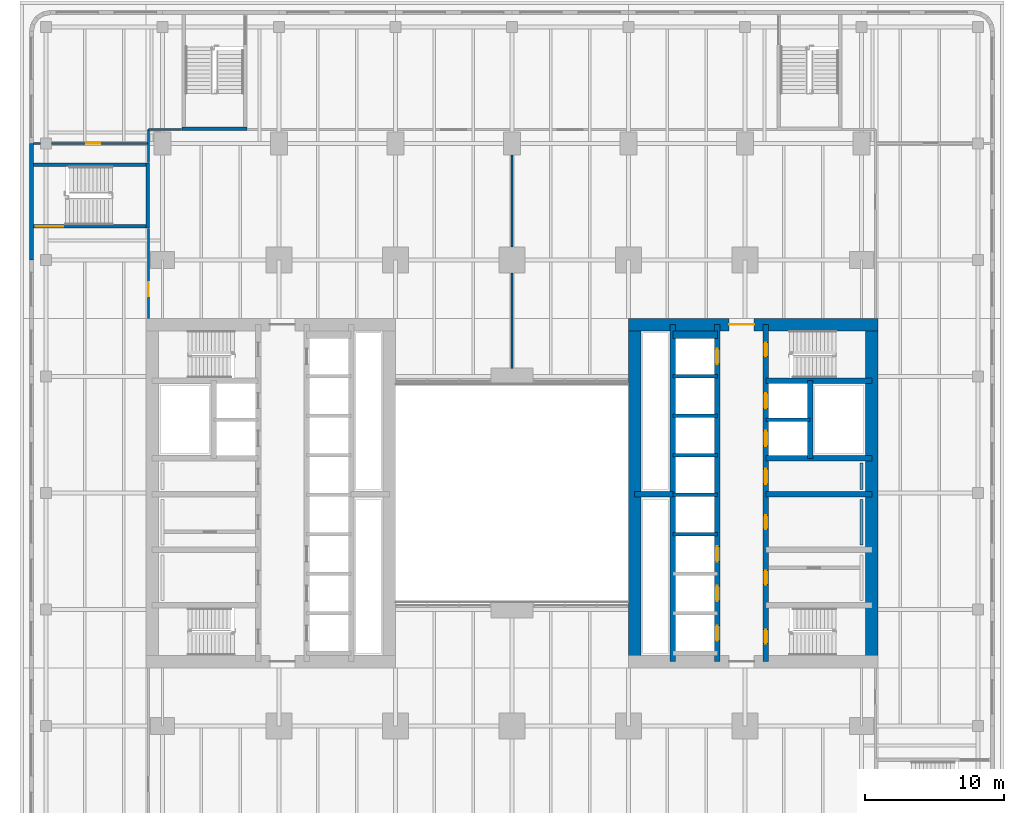
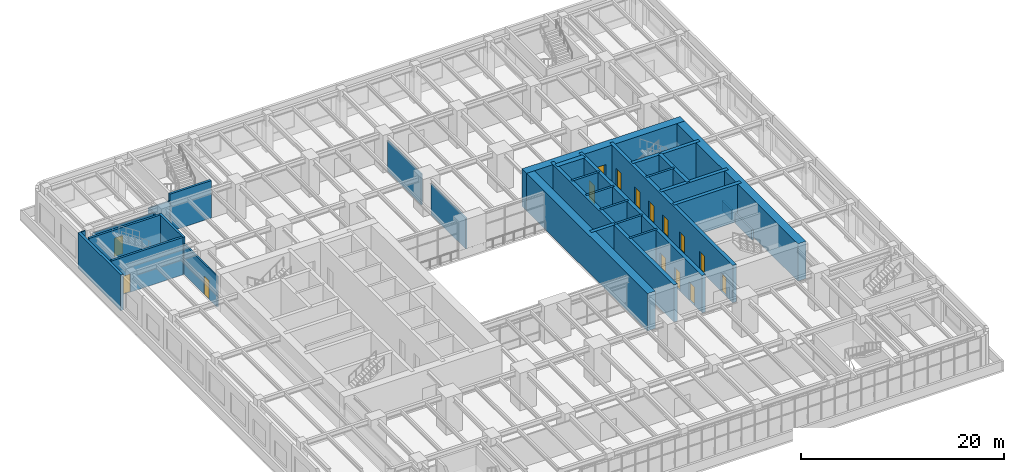
# One storey, part 20 of 30: 32 walls, 15 doors, 15 openings.
"""IFC4 building model written with IfcOpenShell, lengths in metres."""

from ifc_helpers import new_model, si_unit, direction, frame, frame_2d, origin, place, context, subcontext, project, spatial, rectangle, extrude, material, layer, layer_set, type_object, element, fill, save


model = new_model("IFC4")

# Units and contexts
model_context = context("Model", 3, precision=1e-05, world=origin(), true_north=direction((0.0, 1.0)))
body_context = subcontext(model_context, "Body", "Model", "MODEL_VIEW")
ifc_project = project(units=[si_unit("LENGTHUNIT", "METRE"), si_unit("AREAUNIT", "SQUARE_METRE"), si_unit("VOLUMEUNIT", "CUBIC_METRE"), si_unit("PLANEANGLEUNIT", "RADIAN"), si_unit("MASSUNIT", "GRAM", prefix="KILO")], contexts=[model_context])

# Site, building, storey
site_placement = place(None, origin())
site = spatial("IfcSite", under=ifc_project, at=site_placement, CompositionType="ELEMENT")
building_placement = place(site_placement, origin())
building = spatial("IfcBuilding", under=site, at=building_placement, Name="Claustro Exchange Tower", CompositionType="ELEMENT")
storey_placement = place(building_placement, frame((0.0, 0.0, 5.39990234375)))
storey = spatial("IfcBuildingStorey", under=building, at=storey_placement, Name="L01", CompositionType="ELEMENT", Elevation=5.39990234375)

# Walls
ifc_material_1 = material(Name="Gypsum board on steel studs", Category="steel")
ifc_layer_1 = layer(ifc_material_1, 0.14990234375)
ifc_layer_set_1 = layer_set([ifc_layer_1], Name="Gypsum board on steel studs")
wall_type_1 = type_object("IfcWallType", Name="P1 150 plasterboard partition", PredefinedType="PARTITIONING", material=ifc_layer_set_1)
wall_1_placement = place(storey_placement, frame((-1.0, 51.39990234375, 0.0), z_axis=(0.0, 0.0, 1.0), x_axis=(1.0, 0.0, 0.0)))
element("IfcWall", 1, at=wall_1_placement, inside=storey, type_object=wall_type_1, Name="Partition P1 L01", PredefinedType="PARTITIONING", context=body_context, shape_type="SweptSolid", body=[
    extrude(rectangle(XDim=2.3798828125, YDim=0.14990234375, at=frame_2d((1.18994140625, 0.0))), origin(), (0.0, 0.0, 1.0), 3.7001953125),
])
wall_2_placement = place(storey_placement, frame((-9.300048828125, 50.39990234375, 0.0), z_axis=(0.0, 0.0, 1.0), x_axis=(1.0, 0.0, 0.0)))
element("IfcWall", 2, at=wall_2_placement, inside=storey, type_object=wall_type_1, Name="Partition P1 L01", PredefinedType="PARTITIONING", context=body_context, shape_type="SweptSolid", body=[
    extrude(rectangle(XDim=0.5009765625, YDim=0.14990234375, at=frame_2d((0.25048828125, 0.0))), origin(), (0.0, 0.0, 1.0), 4.300048828125),
])

# Wall, opening, door
wall_3_placement = place(storey_placement, frame((-8.0009765625, 50.39990234375, 0.0), z_axis=(0.0, 0.0, 1.0), x_axis=(1.0, 0.0, 0.0)))
wall_3 = element("IfcWall", 3, at=wall_3_placement, inside=storey, type_object=wall_type_1, Name="Partition P1 L01", PredefinedType="PARTITIONING", context=body_context, shape_type="SweptSolid", body=[
    extrude(rectangle(XDim=6.927001953125, YDim=0.14990234375, at=frame_2d((3.46337890625, 0.0))), origin(), (0.0, 0.0, 1.0), 3.7001953125),
])
opening_1_placement = place(wall_3_placement, frame((2.5009765625, 0.0, 0.0)))
opening_1 = element("IfcOpeningElement", 4, at=opening_1_placement, cuts=wall_3, Name="Opening D1", PredefinedType="OPENING", context=body_context, shape_type="SweptSolid", body=[
    extrude(rectangle(XDim=1.0, YDim=2.199951171875, at=frame_2d((0.5, 1.10009765625))), frame((0.0, 0.0849609375, 0.0), z_axis=(0.0, -1.0, 0.0), x_axis=(1.0, 0.0, 0.0)), (0.0, 0.0, 1.0), 0.169921875),
])
ifc_material_2 = material(Name="Timber door, oak veneer", Category="wood")
door_type_1 = type_object("IfcDoorType", Name="D1 1000 x 2200 single door", OperationType="SINGLE_SWING_LEFT", PredefinedType="DOOR", material=ifc_material_2)
door_1_placement = place(opening_1_placement, frame((1.0, 0.0, 0.0), z_axis=(0.0, 0.0, 1.0), x_axis=(-1.0, 0.0, 0.0)))
door_1 = element("IfcDoor", 5, at=door_1_placement, inside=storey, type_object=door_type_1, Name="Door D1 L01", OperationType="SINGLE_SWING_LEFT", OverallHeight=2.199951171875, OverallWidth=1.0, PredefinedType="DOOR", context=body_context, shape_type="SweptSolid", body=[
    extrude(rectangle(XDim=1.0, YDim=2.199951171875, at=frame_2d((0.5, 1.10009765625))), frame((0.0, 0.02490234375, 0.0), z_axis=(0.0, -1.0, 0.0), x_axis=(1.0, 0.0, 0.0)), (0.0, 0.0, 1.0), 0.050048828125),
])
fill(opening_1, door_1)

wall_4_placement = place(storey_placement, frame((-1.0, 37.800048828125, 0.0), z_axis=(0.0, 0.0, 1.0), x_axis=(0.0, 1.0, 0.0)))
wall_4 = element("IfcWall", 6, at=wall_4_placement, inside=storey, type_object=wall_type_1, Name="Partition P1 L01", PredefinedType="PARTITIONING", context=body_context, shape_type="SweptSolid", body=[
    extrude(rectangle(XDim=6.47998046875, YDim=0.14990234375, at=frame_2d((3.239990234375, 0.0))), origin(), (0.0, 0.0, 1.0), 3.7001953125),
])
opening_2_placement = place(wall_4_placement, frame((1.60009765625, 0.0, 0.0)))
opening_2 = element("IfcOpeningElement", 7, at=opening_2_placement, cuts=wall_4, Name="Opening D1", PredefinedType="OPENING", context=body_context, shape_type="SweptSolid", body=[
    extrude(rectangle(XDim=1.0, YDim=2.199951171875, at=frame_2d((0.5, 1.10009765625))), frame((0.0, 0.0849609375, 0.0), z_axis=(0.0, -1.0, 0.0), x_axis=(1.0, 0.0, 0.0)), (0.0, 0.0, 1.0), 0.169921875),
])
door_2_placement = place(opening_2_placement, origin())
door_2 = element("IfcDoor", 8, at=door_2_placement, inside=storey, type_object=door_type_1, Name="Door D1 L01", OperationType="SINGLE_SWING_LEFT", OverallHeight=2.199951171875, OverallWidth=1.0, PredefinedType="DOOR", context=body_context, shape_type="SweptSolid", body=[
    extrude(rectangle(XDim=1.0, YDim=2.199951171875, at=frame_2d((0.5, 1.10009765625))), frame((0.0, 0.02490234375, 0.0), z_axis=(0.0, -1.0, 0.0), x_axis=(1.0, 0.0, 0.0)), (0.0, 0.0, 1.0), 0.050048828125),
])
fill(opening_2, door_2)

# Walls
wall_5_placement = place(storey_placement, frame((-1.0, 49.02001953125, 0.0), z_axis=(0.0, 0.0, 1.0), x_axis=(0.0, 1.0, 0.0)))
element("IfcWall", 9, at=wall_5_placement, inside=storey, type_object=wall_type_1, Name="Partition P1 L01", PredefinedType="PARTITIONING", context=body_context, shape_type="SweptSolid", body=[
    extrude(rectangle(XDim=2.3798828125, YDim=0.14990234375, at=frame_2d((1.18994140625, 0.0))), origin(), (0.0, 0.0, 1.0), 3.7001953125),
])
wall_6_placement = place(storey_placement, frame((25.199951171875, 34.198974609375, 0.0), z_axis=(0.0, 0.0, 1.0), x_axis=(0.0, 1.0, 0.0)))
element("IfcWall", 10, at=wall_6_placement, inside=storey, type_object=wall_type_1, Name="Partition P1 L01", PredefinedType="PARTITIONING", context=body_context, shape_type="SweptSolid", body=[
    extrude(rectangle(XDim=6.85205078125, YDim=0.14990234375, at=frame_2d((3.426025390625, 0.0))), origin(), (0.0, 0.0, 1.0), 3.7001953125),
])
wall_7_placement = place(storey_placement, frame((25.199951171875, 42.948974609375, 0.0), z_axis=(0.0, 0.0, 1.0), x_axis=(0.0, 1.0, 0.0)))
element("IfcWall", 11, at=wall_7_placement, inside=storey, type_object=wall_type_1, Name="Partition P1 L01", PredefinedType="PARTITIONING", context=body_context, shape_type="SweptSolid", body=[
    extrude(rectangle(XDim=6.626953125, YDim=0.14990234375, at=frame_2d((3.3134765625, 0.0))), origin(), (0.0, 0.0, 1.0), 3.7001953125),
])
ifc_material_3 = material(Name="Concrete HA-40 (C40/50), precast, white cement, acid-etched", Category="concrete")
ifc_layer_2 = layer(ifc_material_3, 0.300048828125)
ifc_layer_set_2 = layer_set([ifc_layer_2], Name="Concrete HA-40 (C40/50), precast, white cement, acid-etched")
wall_type_2 = type_object("IfcWallType", Name="PC1 300 precast concrete pier panel", PredefinedType="SOLIDWALL", material=ifc_layer_set_2)
wall_8_placement = place(storey_placement, frame((-9.449951171875, 42.0, 0.0), z_axis=(0.0, 0.0, 1.0), x_axis=(0.0, 1.0, 0.0)))
element("IfcWall", 12, at=wall_8_placement, inside=storey, type_object=wall_type_2, Name="Precast pier panel PC1 L01", PredefinedType="SOLIDWALL", context=body_context, shape_type="SweptSolid", body=[
    extrude(rectangle(XDim=8.39990234375, YDim=0.300048828125, at=frame_2d((4.199951171875, 0.0))), origin(), (0.0, 0.0, 1.0), 4.300048828125),
])
ifc_material_4 = material(Name="Gypsum board on steel studs, tiled", Category="steel")
ifc_layer_3 = layer(ifc_material_4, 0.199951171875)
ifc_layer_set_3 = layer_set([ifc_layer_3], Name="Gypsum board on steel studs, tiled")
wall_type_3 = type_object("IfcWallType", Name="PW1 200 WC duct wall", PredefinedType="PLUMBINGWALL", material=ifc_layer_set_3)
wall_9_placement = place(storey_placement, frame((50.39990234375, 21.449951171875, 0.0), z_axis=(0.0, 0.0, 1.0), x_axis=(0.0, 1.0, 0.0)))
element("IfcWall", 13, at=wall_9_placement, inside=storey, type_object=wall_type_3, Name="WC duct wall PW1 L01", PredefinedType="PLUMBINGWALL", context=body_context, shape_type="SweptSolid", body=[
    extrude(rectangle(XDim=3.300048828125, YDim=0.199951171875, at=frame_2d((1.64990234375, 0.0))), origin(), (0.0, 0.0, 1.0), 1.2001953125),
])
wall_10_placement = place(storey_placement, frame((50.39990234375, 25.449951171875, 0.0), z_axis=(0.0, 0.0, 1.0), x_axis=(0.0, 1.0, 0.0)))
element("IfcWall", 14, at=wall_10_placement, inside=storey, type_object=wall_type_3, Name="WC duct wall PW1 L01", PredefinedType="PLUMBINGWALL", context=body_context, shape_type="SweptSolid", body=[
    extrude(rectangle(XDim=1.900146484375, YDim=0.199951171875, at=frame_2d((0.9501953125, 0.0))), origin(), (0.0, 0.0, 1.0), 1.2001953125),
])

# Wall, opening, door
ifc_material_5 = material(Name="Concrete HA-70 (C70/85)", Category="concrete")
ifc_layer_4 = layer(ifc_material_5, 0.89990234375)
ifc_layer_set_4 = layer_set([ifc_layer_4], Name="Concrete HA-70 (C70/85)")
wall_type_4 = type_object("IfcWallType", Name="SW1 900 core shear wall", PredefinedType="SHEAR", material=ifc_layer_set_4)
wall_11_placement = place(storey_placement, frame((33.60009765625, 37.35009765625, 0.0), z_axis=(0.0, 0.0, 1.0), x_axis=(1.0, 0.0, 0.0)))
wall_11 = element("IfcWall", 15, at=wall_11_placement, inside=storey, type_object=wall_type_4, Name="Core wall SW1 E core N face L01", PredefinedType="SHEAR", context=body_context, shape_type="SweptSolid", body=[
    extrude(rectangle(XDim=18.0, YDim=0.89990234375, at=frame_2d((9.0, 0.0))), origin(), (0.0, 0.0, 1.0), 4.5),
])
opening_3_placement = place(wall_11_placement, frame((7.25, 0.0, 0.0)))
opening_3 = element("IfcOpeningElement", 16, at=opening_3_placement, cuts=wall_11, Name="Opening D3", PredefinedType="OPENING", context=body_context, shape_type="SweptSolid", body=[
    extrude(rectangle(XDim=1.800048828125, YDim=2.39990234375, at=frame_2d((0.89990234375, 1.199951171875))), frame((0.0, 0.4599609375, 0.0), z_axis=(0.0, -1.0, 0.0), x_axis=(1.0, 0.0, 0.0)), (0.0, 0.0, 1.0), 0.919921875),
])
ifc_material_6 = material(Name="Steel fire door, painted", Category="steel")
door_type_2 = type_object("IfcDoorType", Name="D3 1800 x 2400 fire-rated lobby double door", OperationType="DOUBLE_DOOR_SINGLE_SWING", PredefinedType="DOOR", material=ifc_material_6)
door_3_placement = place(opening_3_placement, frame((1.800048828125, 0.0, 0.0), z_axis=(0.0, 0.0, 1.0), x_axis=(-1.0, 0.0, 0.0)))
door_3 = element("IfcDoor", 17, at=door_3_placement, inside=storey, type_object=door_type_2, Name="Lift lobby door D3 L01", OperationType="DOUBLE_DOOR_SINGLE_SWING", OverallHeight=2.39990234375, OverallWidth=1.800048828125, PredefinedType="DOOR", context=body_context, shape_type="SweptSolid", body=[
    extrude(rectangle(XDim=1.800048828125, YDim=2.39990234375, at=frame_2d((0.89990234375, 1.199951171875))), frame((0.0, 0.02490234375, 0.0), z_axis=(0.0, -1.0, 0.0), x_axis=(1.0, 0.0, 0.0)), (0.0, 0.0, 1.0), 0.050048828125),
])
fill(opening_3, door_3)

# Walls
ifc_material_7 = material(Name="Concrete HA-70 (C70/85)", Category="concrete")
ifc_layer_5 = layer(ifc_material_7, 0.89990234375)
ifc_layer_set_5 = layer_set([ifc_layer_5], Name="Concrete HA-70 (C70/85)")
wall_type_5 = type_object("IfcWallType", Name="SW1X 900 exposed core shear wall, board-marked face", PredefinedType="SHEAR", material=ifc_layer_set_5)
for number, where, z_axis, x_axis, name in (
    (18, (34.050048828125, 13.050048828125, 0.0), (0.0, 0.0, 1.0), (0.0, 1.0, 0.0), "Core wall SW1X E core W face L01"),
    (19, (51.14990234375, 13.050048828125, 0.0), (0.0, 0.0, 1.0), (0.0, 1.0, 0.0), "Core wall SW1X E core E face L01"),
):
    element("IfcWall", number, at=place(storey_placement, frame(where, z_axis=z_axis, x_axis=x_axis)), inside=storey, type_object=wall_type_5, Name=name, PredefinedType="SHEAR", context=body_context, shape_type="SweptSolid", body=[
        extrude(rectangle(XDim=24.300048828125, YDim=0.89990234375, at=frame_2d((12.14990234375, 0.0))), origin(), (0.0, 0.0, 1.0), 4.5),
    ])

# Wall, openings, doors
ifc_material_8 = material(Name="Concrete HA-50 (C50/60)", Category="concrete")
ifc_layer_6 = layer(ifc_material_8, 0.39990234375)
ifc_layer_set_6 = layer_set([ifc_layer_6], Name="Concrete HA-50 (C50/60)")
wall_type_6 = type_object("IfcWallType", Name="SW4 400 internal core wall", PredefinedType="SHEAR", material=ifc_layer_set_6)
wall_12_placement = place(storey_placement, frame((43.5, 13.050048828125, 0.0), z_axis=(0.0, 0.0, 1.0), x_axis=(0.0, 1.0, 0.0)))
wall_12 = element("IfcWall", 20, at=wall_12_placement, inside=storey, type_object=wall_type_6, Name="Internal core wall SW4 E core L01", PredefinedType="SHEAR", context=body_context, shape_type="SweptSolid", body=[
    extrude(rectangle(XDim=24.300048828125, YDim=0.39990234375, at=frame_2d((12.14990234375, 0.0))), origin(), (0.0, 0.0, 1.0), 4.5),
])
opening_4_placement = place(wall_12_placement, frame((1.300048828125, 0.0, 0.0)))
opening_4 = element("IfcOpeningElement", 21, at=opening_4_placement, cuts=wall_12, Name="Opening D4", PredefinedType="OPENING", context=body_context, shape_type="SweptSolid", body=[
    extrude(rectangle(XDim=1.0, YDim=2.199951171875, at=frame_2d((0.5, 1.10009765625))), frame((0.0, 0.2099609375, 0.0), z_axis=(0.0, -1.0, 0.0), x_axis=(1.0, 0.0, 0.0)), (0.0, 0.0, 1.0), 0.419921875),
])
opening_5_placement = place(wall_12_placement, frame((22.0, 0.0, 0.0)))
opening_5 = element("IfcOpeningElement", 22, at=opening_5_placement, cuts=wall_12, Name="Opening D4", PredefinedType="OPENING", context=body_context, shape_type="SweptSolid", body=[
    extrude(rectangle(XDim=1.0, YDim=2.199951171875, at=frame_2d((0.5, 1.10009765625))), frame((0.0, 0.2099609375, 0.0), z_axis=(0.0, -1.0, 0.0), x_axis=(1.0, 0.0, 0.0)), (0.0, 0.0, 1.0), 0.419921875),
])
opening_6_placement = place(wall_12_placement, frame((5.550048828125, 0.0, 0.0)))
opening_6 = element("IfcOpeningElement", 23, at=opening_6_placement, cuts=wall_12, Name="Opening D1", PredefinedType="OPENING", context=body_context, shape_type="SweptSolid", body=[
    extrude(rectangle(XDim=1.0, YDim=2.199951171875, at=frame_2d((0.5, 1.10009765625))), frame((0.0, 0.2099609375, 0.0), z_axis=(0.0, -1.0, 0.0), x_axis=(1.0, 0.0, 0.0)), (0.0, 0.0, 1.0), 0.419921875),
])
opening_7_placement = place(wall_12_placement, frame((9.550048828125, 0.0, 0.0)))
opening_7 = element("IfcOpeningElement", 24, at=opening_7_placement, cuts=wall_12, Name="Opening D1", PredefinedType="OPENING", context=body_context, shape_type="SweptSolid", body=[
    extrude(rectangle(XDim=1.0, YDim=2.199951171875, at=frame_2d((0.5, 1.10009765625))), frame((0.0, 0.2099609375, 0.0), z_axis=(0.0, -1.0, 0.0), x_axis=(1.0, 0.0, 0.0)), (0.0, 0.0, 1.0), 0.419921875),
])
opening_8_placement = place(wall_12_placement, frame((12.800048828125, 0.0, 0.0)))
opening_8 = element("IfcOpeningElement", 25, at=opening_8_placement, cuts=wall_12, Name="Opening D10", PredefinedType="OPENING", context=body_context, shape_type="SweptSolid", body=[
    extrude(rectangle(XDim=1.10009765625, YDim=2.199951171875, at=frame_2d((0.550048828125, 1.10009765625))), frame((0.0, 0.2099609375, 0.0), z_axis=(0.0, -1.0, 0.0), x_axis=(1.0, 0.0, 0.0)), (0.0, 0.0, 1.0), 0.419921875),
])
opening_9_placement = place(wall_12_placement, frame((15.53759765625, 0.0, 0.0)))
opening_9 = element("IfcOpeningElement", 26, at=opening_9_placement, cuts=wall_12, Name="Opening LD", PredefinedType="OPENING", context=body_context, shape_type="SweptSolid", body=[
    extrude(rectangle(XDim=1.10009765625, YDim=2.199951171875, at=frame_2d((0.550048828125, 1.10009765625))), frame((0.0, 0.2099609375, 0.0), z_axis=(0.0, -1.0, 0.0), x_axis=(1.0, 0.0, 0.0)), (0.0, 0.0, 1.0), 0.419921875),
])
opening_10_placement = place(wall_12_placement, frame((18.262451171875, 0.0, 0.0)))
opening_10 = element("IfcOpeningElement", 27, at=opening_10_placement, cuts=wall_12, Name="Opening LD", PredefinedType="OPENING", context=body_context, shape_type="SweptSolid", body=[
    extrude(rectangle(XDim=1.10009765625, YDim=2.199951171875, at=frame_2d((0.550048828125, 1.10009765625))), frame((0.0, 0.2099609375, 0.0), z_axis=(0.0, -1.0, 0.0), x_axis=(1.0, 0.0, 0.0)), (0.0, 0.0, 1.0), 0.419921875),
])
door_4_placement = place(opening_6_placement, frame((1.0, 0.0, 0.0), z_axis=(0.0, 0.0, 1.0), x_axis=(-1.0, 0.0, 0.0)))
door_4 = element("IfcDoor", 28, at=door_4_placement, inside=storey, type_object=door_type_1, Name="Door D1 L01", OperationType="SINGLE_SWING_LEFT", OverallHeight=2.199951171875, OverallWidth=1.0, PredefinedType="DOOR", context=body_context, shape_type="SweptSolid", body=[
    extrude(rectangle(XDim=1.0, YDim=2.199951171875, at=frame_2d((0.5, 1.10009765625))), frame((0.0, 0.02490234375, 0.0), z_axis=(0.0, -1.0, 0.0), x_axis=(1.0, 0.0, 0.0)), (0.0, 0.0, 1.0), 0.050048828125),
])
fill(opening_6, door_4)
door_5_placement = place(opening_7_placement, frame((1.0, 0.0, 0.0), z_axis=(0.0, 0.0, 1.0), x_axis=(-1.0, 0.0, 0.0)))
door_5 = element("IfcDoor", 29, at=door_5_placement, inside=storey, type_object=door_type_1, Name="Door D1 L01", OperationType="SINGLE_SWING_LEFT", OverallHeight=2.199951171875, OverallWidth=1.0, PredefinedType="DOOR", context=body_context, shape_type="SweptSolid", body=[
    extrude(rectangle(XDim=1.0, YDim=2.199951171875, at=frame_2d((0.5, 1.10009765625))), frame((0.0, 0.02490234375, 0.0), z_axis=(0.0, -1.0, 0.0), x_axis=(1.0, 0.0, 0.0)), (0.0, 0.0, 1.0), 0.050048828125),
])
fill(opening_7, door_5)
ifc_material_9 = material(Name="Timber door, oak veneer", Category="wood")
door_type_3 = type_object("IfcDoorType", Name="D10 1100 x 2200 accessible WC door", OperationType="SINGLE_SWING_LEFT", PredefinedType="DOOR", material=ifc_material_9)
door_6_placement = place(opening_8_placement, origin())
door_6 = element("IfcDoor", 30, at=door_6_placement, inside=storey, type_object=door_type_3, Name="Accessible WC door D10 L01", OperationType="SINGLE_SWING_RIGHT", OverallHeight=2.199951171875, OverallWidth=1.10009765625, PredefinedType="DOOR", context=body_context, shape_type="SweptSolid", body=[
    extrude(rectangle(XDim=1.10009765625, YDim=2.199951171875, at=frame_2d((0.550048828125, 1.10009765625))), frame((0.0, 0.02490234375, 0.0), z_axis=(0.0, -1.0, 0.0), x_axis=(1.0, 0.0, 0.0)), (0.0, 0.0, 1.0), 0.050048828125),
])
fill(opening_8, door_6)
ifc_material_10 = material(Name="Steel fire door, painted", Category="steel")
door_type_4 = type_object("IfcDoorType", Name="D4 1000 x 2200 fire-rated stair door", OperationType="SINGLE_SWING_LEFT", PredefinedType="DOOR", material=ifc_material_10)
door_7_placement = place(opening_4_placement, frame((1.0, 0.0, 0.0), z_axis=(0.0, 0.0, 1.0), x_axis=(-1.0, 0.0, 0.0)))
door_7 = element("IfcDoor", 31, at=door_7_placement, inside=storey, type_object=door_type_4, Name="Stair door D4 L01", OperationType="SINGLE_SWING_RIGHT", OverallHeight=2.199951171875, OverallWidth=1.0, PredefinedType="DOOR", context=body_context, shape_type="SweptSolid", body=[
    extrude(rectangle(XDim=1.0, YDim=2.199951171875, at=frame_2d((0.5, 1.10009765625))), frame((0.0, 0.02490234375, 0.0), z_axis=(0.0, -1.0, 0.0), x_axis=(1.0, 0.0, 0.0)), (0.0, 0.0, 1.0), 0.050048828125),
])
fill(opening_4, door_7)
door_8_placement = place(opening_5_placement, frame((1.0, 0.0, 0.0), z_axis=(0.0, 0.0, 1.0), x_axis=(-1.0, 0.0, 0.0)))
door_8 = element("IfcDoor", 32, at=door_8_placement, inside=storey, type_object=door_type_4, Name="Stair door D4 L01", OperationType="SINGLE_SWING_LEFT", OverallHeight=2.199951171875, OverallWidth=1.0, PredefinedType="DOOR", context=body_context, shape_type="SweptSolid", body=[
    extrude(rectangle(XDim=1.0, YDim=2.199951171875, at=frame_2d((0.5, 1.10009765625))), frame((0.0, 0.02490234375, 0.0), z_axis=(0.0, -1.0, 0.0), x_axis=(1.0, 0.0, 0.0)), (0.0, 0.0, 1.0), 0.050048828125),
])
fill(opening_5, door_8)
ifc_material_11 = material(Name="Stainless steel sliding door", Category="steel")
door_type_5 = type_object("IfcDoorType", Name="LD 1100 x 2200 lift landing door", OperationType="DOUBLE_DOOR_SLIDING", PredefinedType="DOOR", material=ifc_material_11)
door_9_placement = place(opening_9_placement, origin())
door_9 = element("IfcDoor", 33, at=door_9_placement, inside=storey, type_object=door_type_5, Name="Lift landing door LEE1 LD L01", OperationType="DOUBLE_DOOR_SLIDING", OverallHeight=2.199951171875, OverallWidth=1.10009765625, PredefinedType="DOOR", context=body_context, shape_type="SweptSolid", body=[
    extrude(rectangle(XDim=1.10009765625, YDim=2.199951171875, at=frame_2d((0.550048828125, 1.10009765625))), frame((0.0, 0.02490234375, 0.0), z_axis=(0.0, -1.0, 0.0), x_axis=(1.0, 0.0, 0.0)), (0.0, 0.0, 1.0), 0.050048828125),
])
fill(opening_9, door_9)
door_10_placement = place(opening_10_placement, origin())
door_10 = element("IfcDoor", 34, at=door_10_placement, inside=storey, type_object=door_type_5, Name="Lift landing door LEE2 LD L01", OperationType="DOUBLE_DOOR_SLIDING", OverallHeight=2.199951171875, OverallWidth=1.10009765625, PredefinedType="DOOR", context=body_context, shape_type="SweptSolid", body=[
    extrude(rectangle(XDim=1.10009765625, YDim=2.199951171875, at=frame_2d((0.550048828125, 1.10009765625))), frame((0.0, 0.02490234375, 0.0), z_axis=(0.0, -1.0, 0.0), x_axis=(1.0, 0.0, 0.0)), (0.0, 0.0, 1.0), 0.050048828125),
])
fill(opening_10, door_10)

wall_13_placement = place(storey_placement, frame((40.0, 13.050048828125, 0.0), z_axis=(0.0, 0.0, 1.0), x_axis=(0.0, 1.0, 0.0)))
wall_13 = element("IfcWall", 35, at=wall_13_placement, inside=storey, type_object=wall_type_6, Name="Internal core wall SW4 E core L01", PredefinedType="SHEAR", context=body_context, shape_type="SweptSolid", body=[
    extrude(rectangle(XDim=24.300048828125, YDim=0.39990234375, at=frame_2d((12.14990234375, 0.0))), origin(), (0.0, 0.0, 1.0), 4.5),
])
opening_11_placement = place(wall_13_placement, frame((1.5, 0.0, 0.0)))
opening_11 = element("IfcOpeningElement", 36, at=opening_11_placement, cuts=wall_13, Name="Opening LD", PredefinedType="OPENING", context=body_context, shape_type="SweptSolid", body=[
    extrude(rectangle(XDim=1.10009765625, YDim=2.199951171875, at=frame_2d((0.550048828125, 1.10009765625))), frame((0.0, 0.2099609375, 0.0), z_axis=(0.0, -1.0, 0.0), x_axis=(1.0, 0.0, 0.0)), (0.0, 0.0, 1.0), 0.419921875),
])
opening_12_placement = place(wall_13_placement, frame((4.35009765625, 0.0, 0.0)))
opening_12 = element("IfcOpeningElement", 37, at=opening_12_placement, cuts=wall_13, Name="Opening LD", PredefinedType="OPENING", context=body_context, shape_type="SweptSolid", body=[
    extrude(rectangle(XDim=1.10009765625, YDim=2.199951171875, at=frame_2d((0.550048828125, 1.10009765625))), frame((0.0, 0.2099609375, 0.0), z_axis=(0.0, -1.0, 0.0), x_axis=(1.0, 0.0, 0.0)), (0.0, 0.0, 1.0), 0.419921875),
])
opening_13_placement = place(wall_13_placement, frame((7.199951171875, 0.0, 0.0)))
opening_13 = element("IfcOpeningElement", 38, at=opening_13_placement, cuts=wall_13, Name="Opening LD", PredefinedType="OPENING", context=body_context, shape_type="SweptSolid", body=[
    extrude(rectangle(XDim=1.10009765625, YDim=2.199951171875, at=frame_2d((0.550048828125, 1.10009765625))), frame((0.0, 0.2099609375, 0.0), z_axis=(0.0, -1.0, 0.0), x_axis=(1.0, 0.0, 0.0)), (0.0, 0.0, 1.0), 0.419921875),
])
opening_14_placement = place(wall_13_placement, frame((21.449951171875, 0.0, 0.0)))
opening_14 = element("IfcOpeningElement", 39, at=opening_14_placement, cuts=wall_13, Name="Opening LD", PredefinedType="OPENING", context=body_context, shape_type="SweptSolid", body=[
    extrude(rectangle(XDim=1.10009765625, YDim=2.199951171875, at=frame_2d((0.550048828125, 1.10009765625))), frame((0.0, 0.2099609375, 0.0), z_axis=(0.0, -1.0, 0.0), x_axis=(1.0, 0.0, 0.0)), (0.0, 0.0, 1.0), 0.419921875),
])
door_11_placement = place(opening_11_placement, origin())
door_11 = element("IfcDoor", 40, at=door_11_placement, inside=storey, type_object=door_type_5, Name="Lift landing door LLE1 LD L01", OperationType="DOUBLE_DOOR_SLIDING", OverallHeight=2.199951171875, OverallWidth=1.10009765625, PredefinedType="DOOR", context=body_context, shape_type="SweptSolid", body=[
    extrude(rectangle(XDim=1.10009765625, YDim=2.199951171875, at=frame_2d((0.550048828125, 1.10009765625))), frame((0.0, 0.02490234375, 0.0), z_axis=(0.0, -1.0, 0.0), x_axis=(1.0, 0.0, 0.0)), (0.0, 0.0, 1.0), 0.050048828125),
])
fill(opening_11, door_11)
door_12_placement = place(opening_12_placement, origin())
door_12 = element("IfcDoor", 41, at=door_12_placement, inside=storey, type_object=door_type_5, Name="Lift landing door LLE2 LD L01", OperationType="DOUBLE_DOOR_SLIDING", OverallHeight=2.199951171875, OverallWidth=1.10009765625, PredefinedType="DOOR", context=body_context, shape_type="SweptSolid", body=[
    extrude(rectangle(XDim=1.10009765625, YDim=2.199951171875, at=frame_2d((0.550048828125, 1.10009765625))), frame((0.0, 0.02490234375, 0.0), z_axis=(0.0, -1.0, 0.0), x_axis=(1.0, 0.0, 0.0)), (0.0, 0.0, 1.0), 0.050048828125),
])
fill(opening_12, door_12)
door_13_placement = place(opening_13_placement, origin())
door_13 = element("IfcDoor", 42, at=door_13_placement, inside=storey, type_object=door_type_5, Name="Lift landing door LLE3 LD L01", OperationType="DOUBLE_DOOR_SLIDING", OverallHeight=2.199951171875, OverallWidth=1.10009765625, PredefinedType="DOOR", context=body_context, shape_type="SweptSolid", body=[
    extrude(rectangle(XDim=1.10009765625, YDim=2.199951171875, at=frame_2d((0.550048828125, 1.10009765625))), frame((0.0, 0.02490234375, 0.0), z_axis=(0.0, -1.0, 0.0), x_axis=(1.0, 0.0, 0.0)), (0.0, 0.0, 1.0), 0.050048828125),
])
fill(opening_13, door_13)
door_14_placement = place(opening_14_placement, origin())
door_14 = element("IfcDoor", 43, at=door_14_placement, inside=storey, type_object=door_type_5, Name="Lift landing door LSE1 LD L01", OperationType="DOUBLE_DOOR_SLIDING", OverallHeight=2.199951171875, OverallWidth=1.10009765625, PredefinedType="DOOR", context=body_context, shape_type="SweptSolid", body=[
    extrude(rectangle(XDim=1.10009765625, YDim=2.199951171875, at=frame_2d((0.550048828125, 1.10009765625))), frame((0.0, 0.02490234375, 0.0), z_axis=(0.0, -1.0, 0.0), x_axis=(1.0, 0.0, 0.0)), (0.0, 0.0, 1.0), 0.050048828125),
])
fill(opening_14, door_14)

# Walls
wall_14_placement = place(storey_placement, frame((36.800048828125, 13.050048828125, 0.0), z_axis=(0.0, 0.0, 1.0), x_axis=(0.0, 1.0, 0.0)))
element("IfcWall", 44, at=wall_14_placement, inside=storey, type_object=wall_type_6, Name="Internal core wall SW4 E core L01", PredefinedType="SHEAR", context=body_context, shape_type="SweptSolid", body=[
    extrude(rectangle(XDim=24.300048828125, YDim=0.39990234375, at=frame_2d((12.14990234375, 0.0))), origin(), (0.0, 0.0, 1.0), 4.5),
])
for number, where, z_axis, x_axis, name in (
    (45, (51.14990234375, 25.10009765625, 0.0), (0.0, 0.0, 1.0), (-1.0, 0.0, 0.0), "Internal core wall SW4 E core L01"),
    (46, (51.14990234375, 27.699951171875, 0.0), (0.0, 0.0, 1.0), (-1.0, 0.0, 0.0), "Internal core wall SW4 E core L01"),
    (47, (51.14990234375, 33.300048828125, 0.0), (0.0, 0.0, 1.0), (-1.0, 0.0, 0.0), "Internal core wall SW4 E core L01"),
):
    element("IfcWall", number, at=place(storey_placement, frame(where, z_axis=z_axis, x_axis=x_axis)), inside=storey, type_object=wall_type_6, Name=name, PredefinedType="SHEAR", context=body_context, shape_type="SweptSolid", body=[
        extrude(rectangle(XDim=7.64990234375, YDim=0.39990234375, at=frame_2d((3.824951171875, 0.0))), origin(), (0.0, 0.0, 1.0), 4.5),
    ])
wall_15_placement = place(storey_placement, frame((46.699951171875, 27.699951171875, 0.0), z_axis=(0.0, 0.0, 1.0), x_axis=(0.0, 1.0, 0.0)))
element("IfcWall", 48, at=wall_15_placement, inside=storey, type_object=wall_type_6, Name="Internal core wall SW4 E core L01", PredefinedType="SHEAR", context=body_context, shape_type="SweptSolid", body=[
    extrude(rectangle(XDim=5.60009765625, YDim=0.39990234375, at=frame_2d((2.800048828125, 0.0))), origin(), (0.0, 0.0, 1.0), 4.5),
])
wall_16_placement = place(storey_placement, frame((36.800048828125, 25.10009765625, 0.0), z_axis=(0.0, 0.0, 1.0), x_axis=(-1.0, 0.0, 0.0)))
element("IfcWall", 49, at=wall_16_placement, inside=storey, type_object=wall_type_6, Name="Internal core wall SW4 E core L01", PredefinedType="SHEAR", context=body_context, shape_type="SweptSolid", body=[
    extrude(rectangle(XDim=2.75, YDim=0.39990234375, at=frame_2d((1.375, 0.0))), origin(), (0.0, 0.0, 1.0), 4.5),
])
ifc_material_12 = material(Name="Concrete HA-50 (C50/60)", Category="concrete")
ifc_layer_7 = layer(ifc_material_12, 0.25)
ifc_layer_set_7 = layer_set([ifc_layer_7], Name="Concrete HA-50 (C50/60)")
wall_type_7 = type_object("IfcWallType", Name="SW5 250 lift shaft divider wall", PredefinedType="SHEAR", material=ifc_layer_set_7)
for number, where, z_axis, x_axis, name in (
    (50, (46.699951171875, 30.5, 0.0), (0.0, 0.0, 1.0), (-1.0, 0.0, 0.0), "Lift shaft wall E core L01"),
    (51, (40.0, 22.22509765625, 0.0), (0.0, 0.0, 1.0), (-1.0, 0.0, 0.0), "Lift shaft wall E core L01"),
    (52, (40.0, 25.074951171875, 0.0), (0.0, 0.0, 1.0), (-1.0, 0.0, 0.0), "Lift shaft wall E core L01"),
    (53, (40.0, 27.925048828125, 0.0), (0.0, 0.0, 1.0), (-1.0, 0.0, 0.0), "Lift shaft wall E core L01"),
    (54, (40.0, 30.77490234375, 0.0), (0.0, 0.0, 1.0), (-1.0, 0.0, 0.0), "Lift shaft wall E core L01"),
    (55, (40.0, 33.625, 0.0), (0.0, 0.0, 1.0), (-1.0, 0.0, 0.0), "Lift shaft wall E core L01"),
):
    element("IfcWall", number, at=place(storey_placement, frame(where, z_axis=z_axis, x_axis=x_axis)), inside=storey, type_object=wall_type_7, Name=name, PredefinedType="SHEAR", context=body_context, shape_type="SweptSolid", body=[
        extrude(rectangle(XDim=3.199951171875, YDim=0.25, at=frame_2d((1.60009765625, 0.0))), origin(), (0.0, 0.0, 1.0), 4.5),
    ])
ifc_material_13 = material(Name="Concrete HA-50 (C50/60)", Category="concrete")
ifc_layer_8 = layer(ifc_material_13, 0.550048828125)
ifc_layer_set_8 = layer_set([ifc_layer_8], Name="Concrete HA-50 (C50/60)")
wall_type_8 = type_object("IfcWallType", Name="SW6 550 lift shaft end wall", PredefinedType="SHEAR", material=ifc_layer_set_8)
wall_17_placement = place(storey_placement, frame((40.0, 36.625, 0.0), z_axis=(0.0, 0.0, 1.0), x_axis=(-1.0, 0.0, 0.0)))
element("IfcWall", 56, at=wall_17_placement, inside=storey, type_object=wall_type_8, Name="Lift shaft wall E core L01", PredefinedType="SHEAR", context=body_context, shape_type="SweptSolid", body=[
    extrude(rectangle(XDim=3.199951171875, YDim=0.550048828125, at=frame_2d((1.60009765625, 0.0))), origin(), (0.0, 0.0, 1.0), 4.5),
])
ifc_material_14 = material(Name="Concrete HA-40 (C40/50)", Category="concrete")
ifc_layer_9 = layer(ifc_material_14, 0.25)
ifc_layer_set_9 = layer_set([ifc_layer_9], Name="Concrete HA-40 (C40/50)")
wall_type_9 = type_object("IfcWallType", Name="SW7 250 reinforced concrete stair wall", PredefinedType="SOLIDWALL", material=ifc_layer_set_9)
wall_18_placement = place(storey_placement, frame((1.39990234375, 51.47509765625, 0.0), z_axis=(0.0, 0.0, 1.0), x_axis=(1.0, 0.0, 0.0)))
element("IfcWall", 57, at=wall_18_placement, inside=storey, type_object=wall_type_9, Name="Stair enclosure wall STP3 SW7 L01", PredefinedType="SOLIDWALL", context=body_context, shape_type="SweptSolid", body=[
    extrude(rectangle(XDim=4.7001953125, YDim=0.25, at=frame_2d((2.35009765625, 0.0))), origin(), (0.0, 0.0, 1.0), 4.5),
])

# Wall, opening, door
wall_19_placement = place(storey_placement, frame((-9.302001953125, 44.425048828125, 0.0), z_axis=(0.0, 0.0, 1.0), x_axis=(1.0, 0.0, 0.0)))
wall_19 = element("IfcWall", 58, at=wall_19_placement, inside=storey, type_object=wall_type_9, Name="Stair enclosure wall STP5 SW7 L01", PredefinedType="SOLIDWALL", context=body_context, shape_type="SweptSolid", body=[
    extrude(rectangle(XDim=8.10205078125, YDim=0.25, at=frame_2d((4.051025390625, 0.0))), origin(), (0.0, 0.0, 1.0), 4.5),
])
opening_15_placement = place(wall_19_placement, frame((0.14990234375, 0.0, 0.0)))
opening_15 = element("IfcOpeningElement", 59, at=opening_15_placement, cuts=wall_19, Name="Opening D11", PredefinedType="OPENING", context=body_context, shape_type="SweptSolid", body=[
    extrude(rectangle(XDim=2.0, YDim=2.199951171875, at=frame_2d((1.0, 1.10009765625))), frame((0.0, 0.135009765625, 0.0), z_axis=(0.0, -1.0, 0.0), x_axis=(1.0, 0.0, 0.0)), (0.0, 0.0, 1.0), 0.27001953125),
])
ifc_material_15 = material(Name="Steel fire door, painted", Category="steel")
door_type_6 = type_object("IfcDoorType", Name="D11 2000 x 2200 fire-rated stair double door", OperationType="DOUBLE_DOOR_SINGLE_SWING", PredefinedType="DOOR", material=ifc_material_15)
door_15_placement = place(opening_15_placement, origin())
door_15 = element("IfcDoor", 60, at=door_15_placement, inside=storey, type_object=door_type_6, Name="Stair door STP5 D11 L01", OperationType="DOUBLE_DOOR_SINGLE_SWING", OverallHeight=2.199951171875, OverallWidth=2.0, PredefinedType="DOOR", context=body_context, shape_type="SweptSolid", body=[
    extrude(rectangle(XDim=2.0, YDim=2.199951171875, at=frame_2d((1.0, 1.10009765625))), frame((0.0, 0.02490234375, 0.0), z_axis=(0.0, -1.0, 0.0), x_axis=(1.0, 0.0, 0.0)), (0.0, 0.0, 1.0), 0.050048828125),
])
fill(opening_15, door_15)

# Walls
wall_20_placement = place(storey_placement, frame((-9.302001953125, 48.875, 0.0), z_axis=(0.0, 0.0, 1.0), x_axis=(1.0, 0.0, 0.0)))
element("IfcWall", 61, at=wall_20_placement, inside=storey, type_object=wall_type_9, Name="Stair enclosure wall STP5 SW7 L01", PredefinedType="SOLIDWALL", context=body_context, shape_type="SweptSolid", body=[
    extrude(rectangle(XDim=8.10205078125, YDim=0.25, at=frame_2d((4.051025390625, 0.0))), origin(), (0.0, 0.0, 1.0), 4.5),
])
wall_21_placement = place(storey_placement, frame((-1.074951171875, 44.300048828125, 0.0), z_axis=(0.0, 0.0, 1.0), x_axis=(0.0, 1.0, 0.0)))
element("IfcWall", 62, at=wall_21_placement, inside=storey, type_object=wall_type_9, Name="Stair enclosure wall STP5 SW7 L01", PredefinedType="SOLIDWALL", context=body_context, shape_type="SweptSolid", body=[
    extrude(rectangle(XDim=4.699951171875, YDim=0.25, at=frame_2d((2.35009765625, 0.0))), origin(), (0.0, 0.0, 1.0), 4.5),
])

save(model, "model.ifc")
